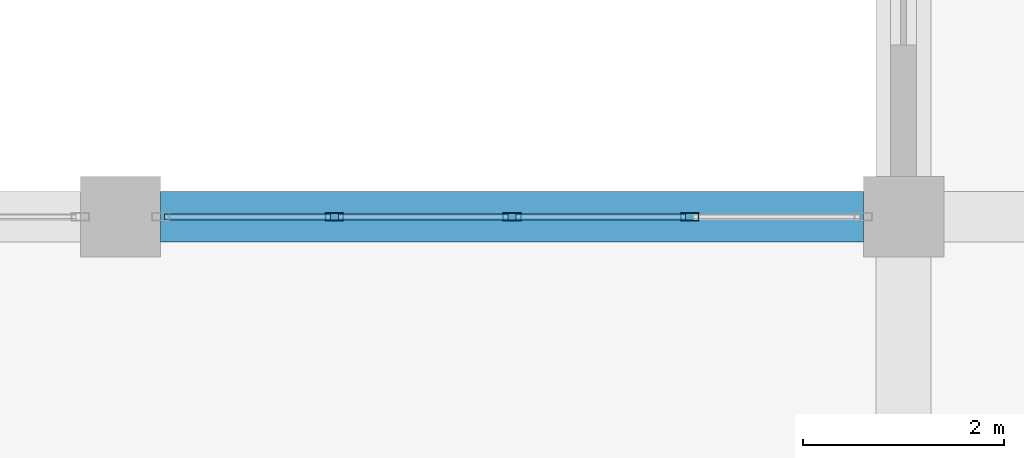
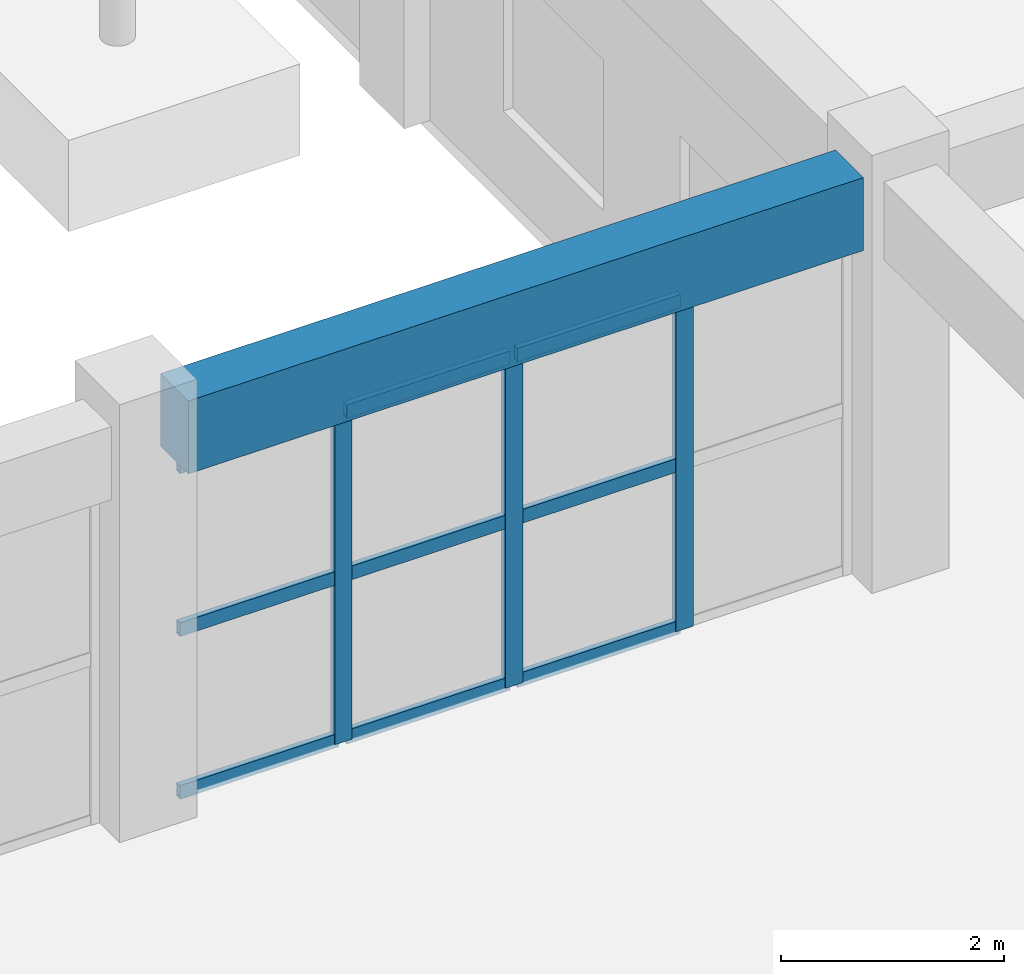
# One storey, part 28 of 139: 12 members, 1 beam, 1 element without a shape of its own.
"""IFC4 building model written with IfcOpenShell, lengths in metres."""

from ifc_helpers import new_model, si_unit, direction, frame, origin, origin_2d, place, context, subcontext, project, spatial, rectangle, hollow_rectangle, extrude, material, layer, layer_set, material_profile, profile_set, type_object, element, aggregate, save


model = new_model("IFC4")

# Units and contexts
model_context = context("Model", 3, precision=1e-05, world=origin(), true_north=direction((0.0, 1.0)))
body_context = subcontext(model_context, "Body", "Model", "MODEL_VIEW")
ifc_project = project(units=[si_unit("LENGTHUNIT", "METRE"), si_unit("AREAUNIT", "SQUARE_METRE"), si_unit("VOLUMEUNIT", "CUBIC_METRE"), si_unit("PLANEANGLEUNIT", "RADIAN"), si_unit("MASSUNIT", "GRAM", prefix="KILO")], contexts=[model_context])

# Site, building, storey
site_placement = place(None, origin())
site = spatial("IfcSite", under=ifc_project, at=site_placement, CompositionType="ELEMENT")
building_placement = place(site_placement, origin())
building = spatial("IfcBuilding", under=site, at=building_placement, Name="Zizhar Promenade General Hospital", CompositionType="ELEMENT")
storey_placement = place(building_placement, origin())
storey = spatial("IfcBuildingStorey", under=building, at=storey_placement, Name="L00", CompositionType="ELEMENT", Elevation=0.0)

# Beam
ifc_material_1 = material(Name="Concrete C35/45", Category="concrete")
ifc_material_profile_1 = material_profile(ifc_material_1, rectangle(XDim=0.5, YDim=0.800048828125, at=origin_2d()))
ifc_profile_set_1 = profile_set([ifc_material_profile_1], Name="Concrete C35/45")
beam_type = type_object("IfcBeamType", Name="BM-RC-500x800", PredefinedType="BEAM", material=ifc_profile_set_1)
beam_placement = place(storey_placement, frame((117.39990234375, 50.39990234375, 4.070068359375), z_axis=(1.0, 0.0, 0.0), x_axis=(0.0, 1.0, 0.0)))
element("IfcBeam", 1, at=beam_placement, inside=storey, type_object=beam_type, Name="Grid Beam X L00 (15-6)", PredefinedType="BEAM", context=body_context, shape_type="SweptSolid", body=[
    extrude(rectangle(XDim=0.5, YDim=0.800048828125, at=origin_2d()), origin(), (0.0, 0.0, 1.0), 7.0),
])

# Curtain wall, members
ifc_material_2 = material(Name="Anodised aluminium 6063-T6 and low-E glass", Category="aluminium")
ifc_layer = layer(ifc_material_2, 0.159912109375)
ifc_layer_set = layer_set([ifc_layer], Name="Anodised aluminium 6063-T6 and low-E glass")
curtain_wall_type = type_object("IfcCurtainWallType", Name="CW-HALL-N", PredefinedType="NOTDEFINED", material=ifc_layer_set)
curtain_wall_placement = place(storey_placement, origin())
curtain_wall = element("IfcCurtainWall", 2, at=curtain_wall_placement, inside=storey, type_object=curtain_wall_type, Name="Main Hall Courtyard Curtain Wall L00-15", PredefinedType="NOTDEFINED")
ifc_material_3 = material(Name="Anodised aluminium 6063-T6", Category="aluminium")
ifc_material_profile_2 = material_profile(ifc_material_3, hollow_rectangle(XDim=0.080078125, YDim=0.179931640625, WallThickness=0.0048828125, at=origin_2d()))
ifc_profile_set_2 = profile_set([ifc_material_profile_2], Name="Anodised aluminium 6063-T6")
member_type_1 = type_object("IfcMemberType", Name="CWM-ALU-180x80", PredefinedType="MULLION", material=ifc_profile_set_2)
member_1_placement = place(storey_placement, frame((119.1298828125, 50.39990234375, 0.0), z_axis=(0.0, 0.0, 1.0), x_axis=(0.0, 1.0, 0.0)))
member_1 = element("IfcMember", 3, at=member_1_placement, type_object=member_type_1, Name="CW-02 mullion 2", PredefinedType="MULLION", context=body_context, shape_type="SweptSolid", body=[
    extrude(hollow_rectangle(XDim=0.080078125, YDim=0.179931640625, WallThickness=0.0048828125, at=origin_2d()), origin(), (0.0, 0.0, 1.0), 3.6298828125),
])
member_2_placement = place(storey_placement, frame((120.89990234375, 50.39990234375, 0.0), z_axis=(0.0, 0.0, 1.0), x_axis=(0.0, 1.0, 0.0)))
member_2 = element("IfcMember", 4, at=member_2_placement, type_object=member_type_1, Name="CW-02 mullion 3", PredefinedType="MULLION", context=body_context, shape_type="SweptSolid", body=[
    extrude(hollow_rectangle(XDim=0.080078125, YDim=0.179931640625, WallThickness=0.0048828125, at=origin_2d()), origin(), (0.0, 0.0, 1.0), 3.6298828125),
])
member_3_placement = place(storey_placement, frame((122.669921875, 50.39990234375, 0.0), z_axis=(0.0, 0.0, 1.0), x_axis=(0.0, 1.0, 0.0)))
member_3 = element("IfcMember", 5, at=member_3_placement, type_object=member_type_1, Name="CW-02 mullion 4", PredefinedType="MULLION", context=body_context, shape_type="SweptSolid", body=[
    extrude(hollow_rectangle(XDim=0.080078125, YDim=0.179931640625, WallThickness=0.0048828125, at=origin_2d()), origin(), (0.0, 0.0, 1.0), 3.6298828125),
])
ifc_material_4 = material(Name="Anodised aluminium 6063-T6", Category="aluminium")
ifc_material_profile_3 = material_profile(ifc_material_4, hollow_rectangle(XDim=0.06005859375, YDim=0.14990234375, WallThickness=0.00390625, at=origin_2d()))
ifc_profile_set_3 = profile_set([ifc_material_profile_3], Name="Anodised aluminium 6063-T6")
member_type_2 = type_object("IfcMemberType", Name="CWT-ALU-150x60", PredefinedType="USERDEFINED", material=ifc_profile_set_3)
member_4_placement = place(storey_placement, frame((117.43994140625, 50.39990234375, 0.030029296875), z_axis=(1.0, 0.0, 0.0), x_axis=(0.0, 1.0, 0.0)))
member_4 = element("IfcMember", 6, at=member_4_placement, type_object=member_type_2, Name="CW-02 transom 1.1", ObjectType="TRANSOM", PredefinedType="USERDEFINED", context=body_context, shape_type="SweptSolid", body=[
    extrude(hollow_rectangle(XDim=0.06005859375, YDim=0.14990234375, WallThickness=0.00390625, at=origin_2d()), origin(), (0.0, 0.0, 1.0), 1.650146484375),
])
member_5_placement = place(storey_placement, frame((117.43994140625, 50.39990234375, 1.81494140625), z_axis=(1.0, 0.0, 0.0), x_axis=(0.0, 1.0, 0.0)))
member_5 = element("IfcMember", 7, at=member_5_placement, type_object=member_type_2, Name="CW-02 transom 1.2", ObjectType="TRANSOM", PredefinedType="USERDEFINED", context=body_context, shape_type="SweptSolid", body=[
    extrude(hollow_rectangle(XDim=0.06005859375, YDim=0.14990234375, WallThickness=0.00390625, at=origin_2d()), origin(), (0.0, 0.0, 1.0), 1.650146484375),
])
member_6_placement = place(storey_placement, frame((117.43994140625, 50.39990234375, 3.60009765625), z_axis=(1.0, 0.0, 0.0), x_axis=(0.0, 1.0, 0.0)))
member_6 = element("IfcMember", 8, at=member_6_placement, type_object=member_type_2, Name="CW-02 transom 1.3", ObjectType="TRANSOM", PredefinedType="USERDEFINED", context=body_context, shape_type="SweptSolid", body=[
    extrude(hollow_rectangle(XDim=0.06005859375, YDim=0.14990234375, WallThickness=0.00390625, at=origin_2d()), origin(), (0.0, 0.0, 1.0), 1.650146484375),
])
member_7_placement = place(storey_placement, frame((119.169921875, 50.39990234375, 0.030029296875), z_axis=(1.0, 0.0, 0.0), x_axis=(0.0, 1.0, 0.0)))
member_7 = element("IfcMember", 9, at=member_7_placement, type_object=member_type_2, Name="CW-02 transom 2.1", ObjectType="TRANSOM", PredefinedType="USERDEFINED", context=body_context, shape_type="SweptSolid", body=[
    extrude(hollow_rectangle(XDim=0.06005859375, YDim=0.14990234375, WallThickness=0.00390625, at=origin_2d()), origin(), (0.0, 0.0, 1.0), 1.690185546875),
])
member_8_placement = place(storey_placement, frame((119.169921875, 50.39990234375, 1.81494140625), z_axis=(1.0, 0.0, 0.0), x_axis=(0.0, 1.0, 0.0)))
member_8 = element("IfcMember", 10, at=member_8_placement, type_object=member_type_2, Name="CW-02 transom 2.2", ObjectType="TRANSOM", PredefinedType="USERDEFINED", context=body_context, shape_type="SweptSolid", body=[
    extrude(hollow_rectangle(XDim=0.06005859375, YDim=0.14990234375, WallThickness=0.00390625, at=origin_2d()), origin(), (0.0, 0.0, 1.0), 1.690185546875),
])
member_9_placement = place(storey_placement, frame((119.169921875, 50.39990234375, 3.60009765625), z_axis=(1.0, 0.0, 0.0), x_axis=(0.0, 1.0, 0.0)))
member_9 = element("IfcMember", 11, at=member_9_placement, type_object=member_type_2, Name="CW-02 transom 2.3", ObjectType="TRANSOM", PredefinedType="USERDEFINED", context=body_context, shape_type="SweptSolid", body=[
    extrude(hollow_rectangle(XDim=0.06005859375, YDim=0.14990234375, WallThickness=0.00390625, at=origin_2d()), origin(), (0.0, 0.0, 1.0), 1.690185546875),
])
member_10_placement = place(storey_placement, frame((120.93994140625, 50.39990234375, 0.030029296875), z_axis=(1.0, 0.0, 0.0), x_axis=(0.0, 1.0, 0.0)))
member_10 = element("IfcMember", 12, at=member_10_placement, type_object=member_type_2, Name="CW-02 transom 3.1", ObjectType="TRANSOM", PredefinedType="USERDEFINED", context=body_context, shape_type="SweptSolid", body=[
    extrude(hollow_rectangle(XDim=0.06005859375, YDim=0.14990234375, WallThickness=0.00390625, at=origin_2d()), origin(), (0.0, 0.0, 1.0), 1.68994140625),
])
member_11_placement = place(storey_placement, frame((120.93994140625, 50.39990234375, 1.81494140625), z_axis=(1.0, 0.0, 0.0), x_axis=(0.0, 1.0, 0.0)))
member_11 = element("IfcMember", 13, at=member_11_placement, type_object=member_type_2, Name="CW-02 transom 3.2", ObjectType="TRANSOM", PredefinedType="USERDEFINED", context=body_context, shape_type="SweptSolid", body=[
    extrude(hollow_rectangle(XDim=0.06005859375, YDim=0.14990234375, WallThickness=0.00390625, at=origin_2d()), origin(), (0.0, 0.0, 1.0), 1.68994140625),
])
member_12_placement = place(storey_placement, frame((120.93994140625, 50.39990234375, 3.60009765625), z_axis=(1.0, 0.0, 0.0), x_axis=(0.0, 1.0, 0.0)))
member_12 = element("IfcMember", 14, at=member_12_placement, type_object=member_type_2, Name="CW-02 transom 3.3", ObjectType="TRANSOM", PredefinedType="USERDEFINED", context=body_context, shape_type="SweptSolid", body=[
    extrude(hollow_rectangle(XDim=0.06005859375, YDim=0.14990234375, WallThickness=0.00390625, at=origin_2d()), origin(), (0.0, 0.0, 1.0), 1.68994140625),
])
aggregate(curtain_wall, [member_1, member_2, member_3, member_4, member_5, member_6, member_7, member_8, member_9, member_10, member_11, member_12])

save(model, "model.ifc")
